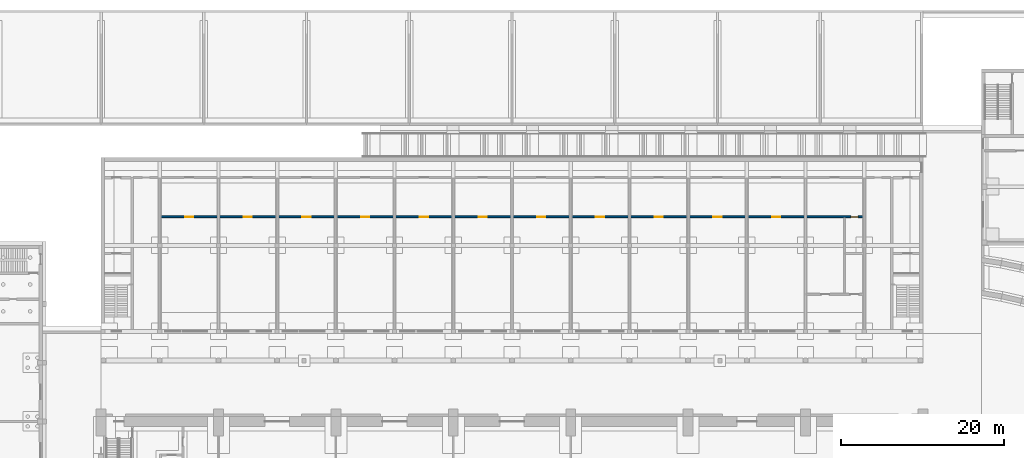
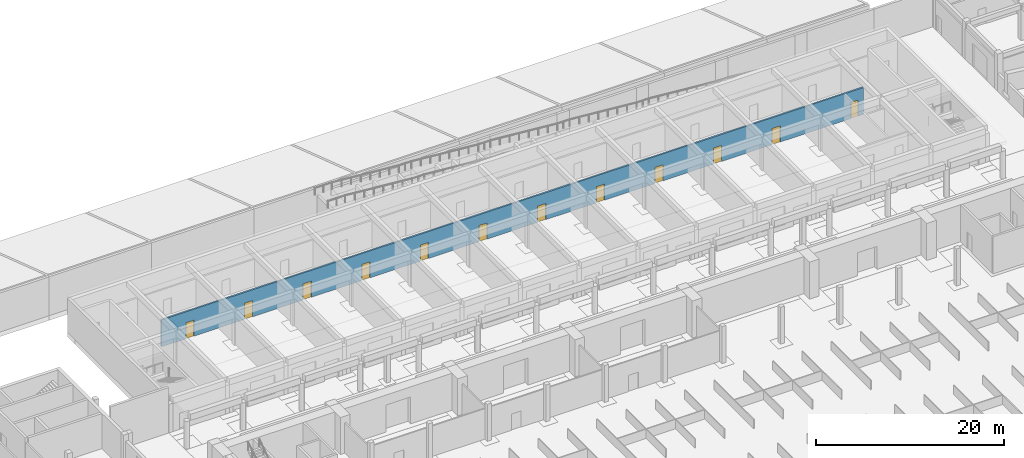
# One storey, part 53 of 73: 12 doors, 1 wall, 12 openings.
"""IFC4 building model written with IfcOpenShell, lengths in metres."""

from ifc_helpers import new_model, si_unit, direction, frame, frame_2d, origin, place, context, subcontext, project, spatial, rectangle, extrude, material, layer, layer_set, type_object, element, fill, save


model = new_model("IFC4")

# Units and contexts
model_context = context("Model", 3, precision=1e-05, world=origin(), true_north=direction((0.0, 1.0)))
body_context = subcontext(model_context, "Body", "Model", "MODEL_VIEW")
ifc_project = project(units=[si_unit("LENGTHUNIT", "METRE"), si_unit("AREAUNIT", "SQUARE_METRE"), si_unit("VOLUMEUNIT", "CUBIC_METRE"), si_unit("PLANEANGLEUNIT", "RADIAN"), si_unit("MASSUNIT", "GRAM", prefix="KILO")], contexts=[model_context])

# Site, building, storey
site_placement = place(None, origin())
site = spatial("IfcSite", under=ifc_project, at=site_placement, CompositionType="ELEMENT")
building_placement = place(site_placement, origin())
building = spatial("IfcBuilding", under=site, at=building_placement, Name="Alderwick Market Hall", CompositionType="ELEMENT")
storey_placement = place(building_placement, origin())
storey = spatial("IfcBuildingStorey", under=building, at=storey_placement, Name="LG", CompositionType="ELEMENT", Elevation=0.0)

# Wall, openings, doors
ifc_material_1 = material(Name="Concrete masonry 3000 psi", Category="masonry")
ifc_layer = layer(ifc_material_1, 0.199951171875)
ifc_layer_set = layer_set([ifc_layer], Name="Concrete masonry 3000 psi")
wall_type = type_object("IfcWallType", Name="A Masonry Partition 200", PredefinedType="PARTITIONING", material=ifc_layer_set)
wall_placement = place(storey_placement, frame((57.699951171875, 133.10009765625, 0.0), z_axis=(0.0, 0.0, 1.0), x_axis=(1.0, 0.0, 0.0)))
wall = element("IfcWall", 1, at=wall_placement, inside=storey, type_object=wall_type, Name="A.N.wall.018", PredefinedType="PARTITIONING", context=body_context, shape_type="SweptSolid", body=[
    extrude(rectangle(XDim=86.199951171875, YDim=0.199951171875, at=frame_2d((43.10009765625, 0.0))), origin(), (0.0, 0.0, 1.0), 3.5),
])
opening_1_placement = place(wall_placement, frame((3.0, 0.0, 0.0)))
opening_1 = element("IfcOpeningElement", 2, at=opening_1_placement, cuts=wall, Name="Opening A-D033", PredefinedType="OPENING", context=body_context, shape_type="SweptSolid", body=[
    extrude(rectangle(XDim=1.0, YDim=2.10009765625, at=frame_2d((0.5, 1.050048828125))), frame((0.0, 0.10986328125, 0.0), z_axis=(0.0, -1.0, 0.0), x_axis=(1.0, 0.0, 0.0)), (0.0, 0.0, 1.0), 0.219970703125),
])
opening_2_placement = place(wall_placement, frame((10.199951171875, 0.0, 0.0)))
opening_2 = element("IfcOpeningElement", 3, at=opening_2_placement, cuts=wall, Name="Opening A-D035", PredefinedType="OPENING", context=body_context, shape_type="SweptSolid", body=[
    extrude(rectangle(XDim=1.0, YDim=2.10009765625, at=frame_2d((0.5, 1.050048828125))), frame((0.0, 0.10986328125, 0.0), z_axis=(0.0, -1.0, 0.0), x_axis=(1.0, 0.0, 0.0)), (0.0, 0.0, 1.0), 0.219970703125),
])
opening_3_placement = place(wall_placement, frame((17.39990234375, 0.0, 0.0)))
opening_3 = element("IfcOpeningElement", 4, at=opening_3_placement, cuts=wall, Name="Opening A-D037", PredefinedType="OPENING", context=body_context, shape_type="SweptSolid", body=[
    extrude(rectangle(XDim=1.0, YDim=2.10009765625, at=frame_2d((0.5, 1.050048828125))), frame((0.0, 0.10986328125, 0.0), z_axis=(0.0, -1.0, 0.0), x_axis=(1.0, 0.0, 0.0)), (0.0, 0.0, 1.0), 0.219970703125),
])
opening_4_placement = place(wall_placement, frame((24.60009765625, 0.0, 0.0)))
opening_4 = element("IfcOpeningElement", 5, at=opening_4_placement, cuts=wall, Name="Opening A-D039", PredefinedType="OPENING", context=body_context, shape_type="SweptSolid", body=[
    extrude(rectangle(XDim=1.0, YDim=2.10009765625, at=frame_2d((0.5, 1.050048828125))), frame((0.0, 0.10986328125, 0.0), z_axis=(0.0, -1.0, 0.0), x_axis=(1.0, 0.0, 0.0)), (0.0, 0.0, 1.0), 0.219970703125),
])
opening_5_placement = place(wall_placement, frame((31.800048828125, 0.0, 0.0)))
opening_5 = element("IfcOpeningElement", 6, at=opening_5_placement, cuts=wall, Name="Opening A-D041", PredefinedType="OPENING", context=body_context, shape_type="SweptSolid", body=[
    extrude(rectangle(XDim=1.0, YDim=2.10009765625, at=frame_2d((0.5, 1.050048828125))), frame((0.0, 0.10986328125, 0.0), z_axis=(0.0, -1.0, 0.0), x_axis=(1.0, 0.0, 0.0)), (0.0, 0.0, 1.0), 0.219970703125),
])
opening_6_placement = place(wall_placement, frame((39.0, 0.0, 0.0)))
opening_6 = element("IfcOpeningElement", 7, at=opening_6_placement, cuts=wall, Name="Opening A-D043", PredefinedType="OPENING", context=body_context, shape_type="SweptSolid", body=[
    extrude(rectangle(XDim=1.0, YDim=2.10009765625, at=frame_2d((0.5, 1.050048828125))), frame((0.0, 0.10986328125, 0.0), z_axis=(0.0, -1.0, 0.0), x_axis=(1.0, 0.0, 0.0)), (0.0, 0.0, 1.0), 0.219970703125),
])
opening_7_placement = place(wall_placement, frame((46.199951171875, 0.0, 0.0)))
opening_7 = element("IfcOpeningElement", 8, at=opening_7_placement, cuts=wall, Name="Opening A-D045", PredefinedType="OPENING", context=body_context, shape_type="SweptSolid", body=[
    extrude(rectangle(XDim=1.0, YDim=2.10009765625, at=frame_2d((0.5, 1.050048828125))), frame((0.0, 0.10986328125, 0.0), z_axis=(0.0, -1.0, 0.0), x_axis=(1.0, 0.0, 0.0)), (0.0, 0.0, 1.0), 0.219970703125),
])
opening_8_placement = place(wall_placement, frame((53.39990234375, 0.0, 0.0)))
opening_8 = element("IfcOpeningElement", 9, at=opening_8_placement, cuts=wall, Name="Opening A-D047", PredefinedType="OPENING", context=body_context, shape_type="SweptSolid", body=[
    extrude(rectangle(XDim=1.0, YDim=2.10009765625, at=frame_2d((0.5, 1.050048828125))), frame((0.0, 0.10986328125, 0.0), z_axis=(0.0, -1.0, 0.0), x_axis=(1.0, 0.0, 0.0)), (0.0, 0.0, 1.0), 0.219970703125),
])
opening_9_placement = place(wall_placement, frame((60.60009765625, 0.0, 0.0)))
opening_9 = element("IfcOpeningElement", 10, at=opening_9_placement, cuts=wall, Name="Opening A-D049", PredefinedType="OPENING", context=body_context, shape_type="SweptSolid", body=[
    extrude(rectangle(XDim=1.0, YDim=2.10009765625, at=frame_2d((0.5, 1.050048828125))), frame((0.0, 0.10986328125, 0.0), z_axis=(0.0, -1.0, 0.0), x_axis=(1.0, 0.0, 0.0)), (0.0, 0.0, 1.0), 0.219970703125),
])
opening_10_placement = place(wall_placement, frame((67.800048828125, 0.0, 0.0)))
opening_10 = element("IfcOpeningElement", 11, at=opening_10_placement, cuts=wall, Name="Opening A-D051", PredefinedType="OPENING", context=body_context, shape_type="SweptSolid", body=[
    extrude(rectangle(XDim=1.0, YDim=2.10009765625, at=frame_2d((0.5, 1.050048828125))), frame((0.0, 0.10986328125, 0.0), z_axis=(0.0, -1.0, 0.0), x_axis=(1.0, 0.0, 0.0)), (0.0, 0.0, 1.0), 0.219970703125),
])
opening_11_placement = place(wall_placement, frame((75.0, 0.0, 0.0)))
opening_11 = element("IfcOpeningElement", 12, at=opening_11_placement, cuts=wall, Name="Opening A-D053", PredefinedType="OPENING", context=body_context, shape_type="SweptSolid", body=[
    extrude(rectangle(XDim=1.0, YDim=2.10009765625, at=frame_2d((0.5, 1.050048828125))), frame((0.0, 0.10986328125, 0.0), z_axis=(0.0, -1.0, 0.0), x_axis=(1.0, 0.0, 0.0)), (0.0, 0.0, 1.0), 0.219970703125),
])
opening_12_placement = place(wall_placement, frame((84.64990234375, 0.0, 0.0)))
opening_12 = element("IfcOpeningElement", 13, at=opening_12_placement, cuts=wall, Name="Opening A-D062", PredefinedType="OPENING", context=body_context, shape_type="SweptSolid", body=[
    extrude(rectangle(XDim=0.89990234375, YDim=2.10009765625, at=frame_2d((0.449951171875, 1.050048828125))), frame((0.0, 0.10986328125, 0.0), z_axis=(0.0, -1.0, 0.0), x_axis=(1.0, 0.0, 0.0)), (0.0, 0.0, 1.0), 0.219970703125),
])
ifc_material_2 = material(Name="Hollow metal door and frame")
door_type_1 = type_object("IfcDoorType", Name="A Door 1000x2100", OperationType="SINGLE_SWING_LEFT", PredefinedType="DOOR", material=ifc_material_2)
door_1_placement = place(opening_1_placement, origin())
door_1 = element("IfcDoor", 14, at=door_1_placement, inside=storey, type_object=door_type_1, Name="Greengrocer Shop to store door", OperationType="SINGLE_SWING_LEFT", OverallHeight=2.10009765625, OverallWidth=1.0, PredefinedType="DOOR", context=body_context, shape_type="SweptSolid", body=[
    extrude(rectangle(XDim=1.0, YDim=2.10009765625, at=frame_2d((0.5, 1.050048828125))), frame((0.0, 0.02490234375, 0.0), z_axis=(0.0, -1.0, 0.0), x_axis=(1.0, 0.0, 0.0)), (0.0, 0.0, 1.0), 0.050048828125),
])
fill(opening_1, door_1)
door_2_placement = place(opening_2_placement, origin())
door_2 = element("IfcDoor", 15, at=door_2_placement, inside=storey, type_object=door_type_1, Name="Delicatessen Shop to store door", OperationType="SINGLE_SWING_LEFT", OverallHeight=2.10009765625, OverallWidth=1.0, PredefinedType="DOOR", context=body_context, shape_type="SweptSolid", body=[
    extrude(rectangle(XDim=1.0, YDim=2.10009765625, at=frame_2d((0.5, 1.050048828125))), frame((0.0, 0.02490234375, 0.0), z_axis=(0.0, -1.0, 0.0), x_axis=(1.0, 0.0, 0.0)), (0.0, 0.0, 1.0), 0.050048828125),
])
fill(opening_2, door_2)
door_3_placement = place(opening_3_placement, origin())
door_3 = element("IfcDoor", 16, at=door_3_placement, inside=storey, type_object=door_type_1, Name="Kitchenware Shop to store door", OperationType="SINGLE_SWING_LEFT", OverallHeight=2.10009765625, OverallWidth=1.0, PredefinedType="DOOR", context=body_context, shape_type="SweptSolid", body=[
    extrude(rectangle(XDim=1.0, YDim=2.10009765625, at=frame_2d((0.5, 1.050048828125))), frame((0.0, 0.02490234375, 0.0), z_axis=(0.0, -1.0, 0.0), x_axis=(1.0, 0.0, 0.0)), (0.0, 0.0, 1.0), 0.050048828125),
])
fill(opening_3, door_3)
door_4_placement = place(opening_4_placement, origin())
door_4 = element("IfcDoor", 17, at=door_4_placement, inside=storey, type_object=door_type_1, Name="Bookshop to store door", OperationType="SINGLE_SWING_LEFT", OverallHeight=2.10009765625, OverallWidth=1.0, PredefinedType="DOOR", context=body_context, shape_type="SweptSolid", body=[
    extrude(rectangle(XDim=1.0, YDim=2.10009765625, at=frame_2d((0.5, 1.050048828125))), frame((0.0, 0.02490234375, 0.0), z_axis=(0.0, -1.0, 0.0), x_axis=(1.0, 0.0, 0.0)), (0.0, 0.0, 1.0), 0.050048828125),
])
fill(opening_4, door_4)
door_5_placement = place(opening_5_placement, origin())
door_5 = element("IfcDoor", 18, at=door_5_placement, inside=storey, type_object=door_type_1, Name="Florist Shop to store door", OperationType="SINGLE_SWING_LEFT", OverallHeight=2.10009765625, OverallWidth=1.0, PredefinedType="DOOR", context=body_context, shape_type="SweptSolid", body=[
    extrude(rectangle(XDim=1.0, YDim=2.10009765625, at=frame_2d((0.5, 1.050048828125))), frame((0.0, 0.02490234375, 0.0), z_axis=(0.0, -1.0, 0.0), x_axis=(1.0, 0.0, 0.0)), (0.0, 0.0, 1.0), 0.050048828125),
])
fill(opening_5, door_5)
door_6_placement = place(opening_6_placement, origin())
door_6 = element("IfcDoor", 19, at=door_6_placement, inside=storey, type_object=door_type_1, Name="Cheese Shop to store door", OperationType="SINGLE_SWING_LEFT", OverallHeight=2.10009765625, OverallWidth=1.0, PredefinedType="DOOR", context=body_context, shape_type="SweptSolid", body=[
    extrude(rectangle(XDim=1.0, YDim=2.10009765625, at=frame_2d((0.5, 1.050048828125))), frame((0.0, 0.02490234375, 0.0), z_axis=(0.0, -1.0, 0.0), x_axis=(1.0, 0.0, 0.0)), (0.0, 0.0, 1.0), 0.050048828125),
])
fill(opening_6, door_6)
door_7_placement = place(opening_7_placement, origin())
door_7 = element("IfcDoor", 20, at=door_7_placement, inside=storey, type_object=door_type_1, Name="Wine Shop to store door", OperationType="SINGLE_SWING_LEFT", OverallHeight=2.10009765625, OverallWidth=1.0, PredefinedType="DOOR", context=body_context, shape_type="SweptSolid", body=[
    extrude(rectangle(XDim=1.0, YDim=2.10009765625, at=frame_2d((0.5, 1.050048828125))), frame((0.0, 0.02490234375, 0.0), z_axis=(0.0, -1.0, 0.0), x_axis=(1.0, 0.0, 0.0)), (0.0, 0.0, 1.0), 0.050048828125),
])
fill(opening_7, door_7)
door_8_placement = place(opening_8_placement, origin())
door_8 = element("IfcDoor", 21, at=door_8_placement, inside=storey, type_object=door_type_1, Name="Spice Shop to store door", OperationType="SINGLE_SWING_LEFT", OverallHeight=2.10009765625, OverallWidth=1.0, PredefinedType="DOOR", context=body_context, shape_type="SweptSolid", body=[
    extrude(rectangle(XDim=1.0, YDim=2.10009765625, at=frame_2d((0.5, 1.050048828125))), frame((0.0, 0.02490234375, 0.0), z_axis=(0.0, -1.0, 0.0), x_axis=(1.0, 0.0, 0.0)), (0.0, 0.0, 1.0), 0.050048828125),
])
fill(opening_8, door_8)
door_9_placement = place(opening_9_placement, origin())
door_9 = element("IfcDoor", 22, at=door_9_placement, inside=storey, type_object=door_type_1, Name="Butcher Shop to store door", OperationType="SINGLE_SWING_LEFT", OverallHeight=2.10009765625, OverallWidth=1.0, PredefinedType="DOOR", context=body_context, shape_type="SweptSolid", body=[
    extrude(rectangle(XDim=1.0, YDim=2.10009765625, at=frame_2d((0.5, 1.050048828125))), frame((0.0, 0.02490234375, 0.0), z_axis=(0.0, -1.0, 0.0), x_axis=(1.0, 0.0, 0.0)), (0.0, 0.0, 1.0), 0.050048828125),
])
fill(opening_9, door_9)
door_10_placement = place(opening_10_placement, origin())
door_10 = element("IfcDoor", 23, at=door_10_placement, inside=storey, type_object=door_type_1, Name="Fishmonger Shop to store door", OperationType="SINGLE_SWING_LEFT", OverallHeight=2.10009765625, OverallWidth=1.0, PredefinedType="DOOR", context=body_context, shape_type="SweptSolid", body=[
    extrude(rectangle(XDim=1.0, YDim=2.10009765625, at=frame_2d((0.5, 1.050048828125))), frame((0.0, 0.02490234375, 0.0), z_axis=(0.0, -1.0, 0.0), x_axis=(1.0, 0.0, 0.0)), (0.0, 0.0, 1.0), 0.050048828125),
])
fill(opening_10, door_10)
door_11_placement = place(opening_11_placement, origin())
door_11 = element("IfcDoor", 24, at=door_11_placement, inside=storey, type_object=door_type_1, Name="Bakery Shop to store door", OperationType="SINGLE_SWING_LEFT", OverallHeight=2.10009765625, OverallWidth=1.0, PredefinedType="DOOR", context=body_context, shape_type="SweptSolid", body=[
    extrude(rectangle(XDim=1.0, YDim=2.10009765625, at=frame_2d((0.5, 1.050048828125))), frame((0.0, 0.02490234375, 0.0), z_axis=(0.0, -1.0, 0.0), x_axis=(1.0, 0.0, 0.0)), (0.0, 0.0, 1.0), 0.050048828125),
])
fill(opening_11, door_11)
door_type_2 = type_object("IfcDoorType", Name="A Door 900x2100", OperationType="SINGLE_SWING_LEFT", PredefinedType="DOOR", material=ifc_material_2)
door_12_placement = place(opening_12_placement, origin())
door_12 = element("IfcDoor", 25, at=door_12_placement, inside=storey, type_object=door_type_2, Name="Cleaners store door", OperationType="SINGLE_SWING_RIGHT", OverallHeight=2.10009765625, OverallWidth=0.89990234375, PredefinedType="DOOR", context=body_context, shape_type="SweptSolid", body=[
    extrude(rectangle(XDim=0.89990234375, YDim=2.10009765625, at=frame_2d((0.449951171875, 1.050048828125))), frame((0.0, 0.02490234375, 0.0), z_axis=(0.0, -1.0, 0.0), x_axis=(1.0, 0.0, 0.0)), (0.0, 0.0, 1.0), 0.050048828125),
])
fill(opening_12, door_12)

save(model, "model.ifc")
